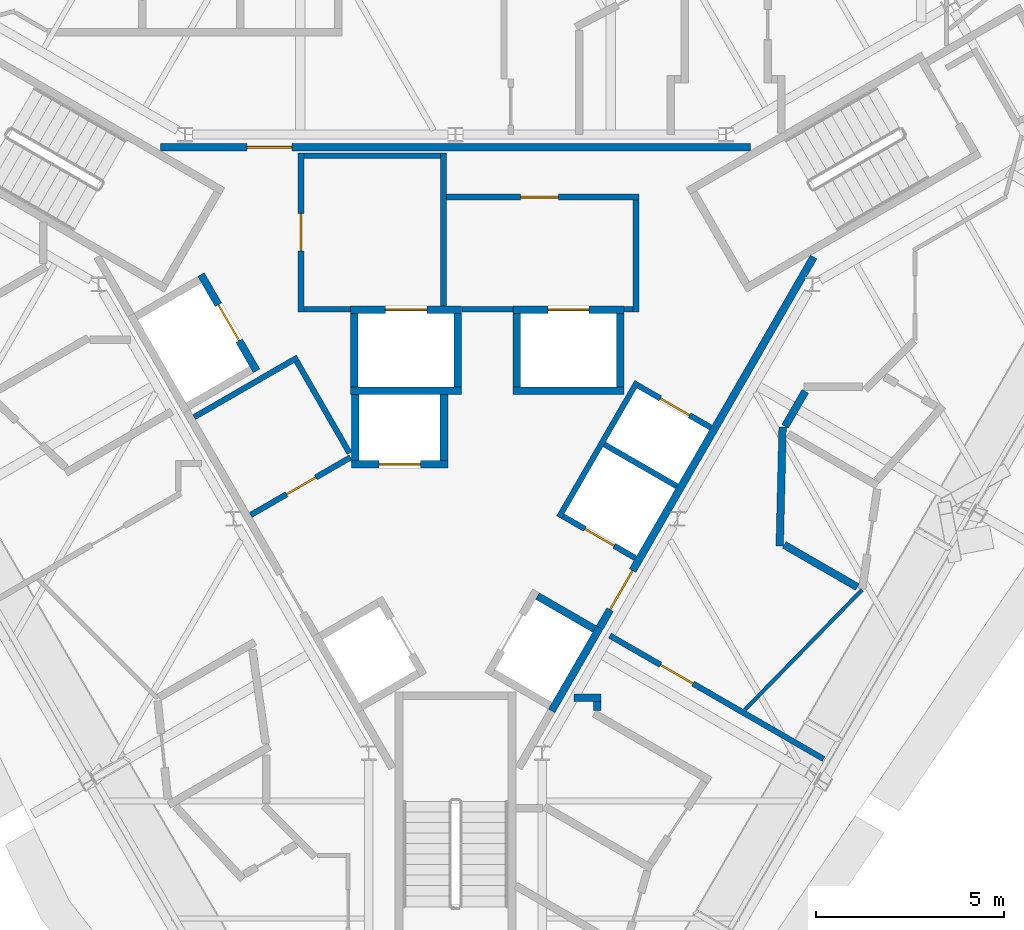
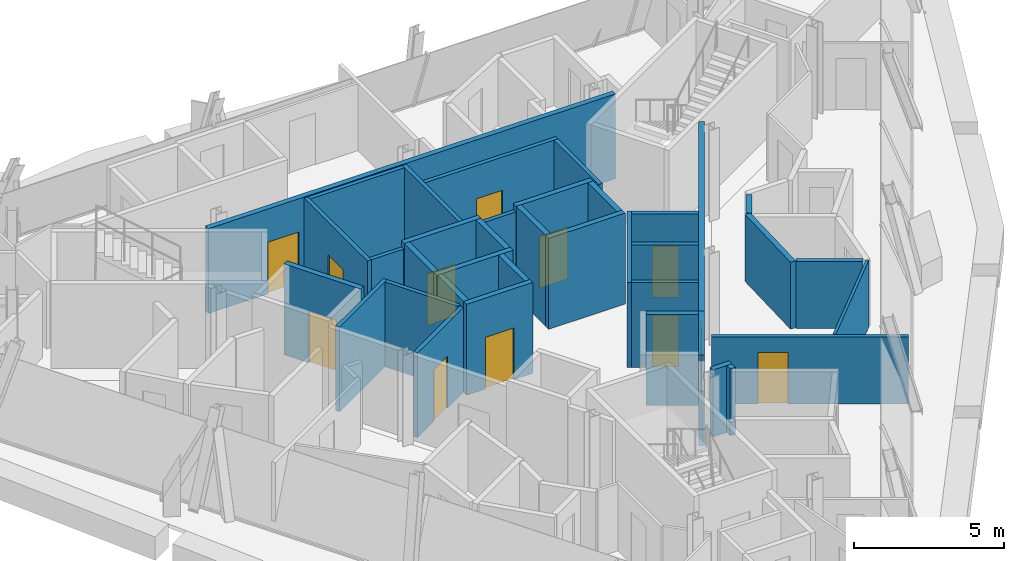
# One storey, part 8 of 13: 38 walls, 12 doors, 12 openings.
"""IFC4 building model written with IfcOpenShell, lengths in metres."""

from ifc_helpers import new_model, si_unit, direction, frame, frame_2d, origin, place, context, subcontext, project, spatial, rectangle, extrude, material, layer, layer_set, type_object, element, fill, save


model = new_model("IFC4")

# Units and contexts
model_context = context("Model", 3, precision=1e-05, world=origin(), true_north=direction((0.0, 1.0)))
body_context = subcontext(model_context, "Body", "Model", "MODEL_VIEW")
ifc_project = project(units=[si_unit("LENGTHUNIT", "METRE"), si_unit("AREAUNIT", "SQUARE_METRE"), si_unit("VOLUMEUNIT", "CUBIC_METRE"), si_unit("PLANEANGLEUNIT", "RADIAN"), si_unit("MASSUNIT", "GRAM", prefix="KILO")], contexts=[model_context])

# Site, building, storey
site_placement = place(None, origin())
site = spatial("IfcSite", under=ifc_project, at=site_placement, CompositionType="ELEMENT")
building_placement = place(site_placement, origin())
building = spatial("IfcBuilding", under=site, at=building_placement, Name="Verrane Prism Tower", CompositionType="ELEMENT")
storey_placement = place(building_placement, frame((0.0, 0.0, 304.699951171875)))
storey = spatial("IfcBuildingStorey", under=building, at=storey_placement, Name="L77", CompositionType="ELEMENT", Elevation=304.699951171875)

# Wall, opening, door
ifc_material_1 = material(Name="Gypsum board partition", Category="other")
ifc_layer_1 = layer(ifc_material_1, 0.199951171875)
ifc_layer_set_1 = layer_set([ifc_layer_1], Name="CW-200 core boundary wall 2 h")
wall_type_1 = type_object("IfcWallType", Name="CW-200 core boundary wall 2 h", PredefinedType="PARTITIONING", material=ifc_layer_set_1)
wall_1_placement = place(storey_placement, frame((7.8291015625, 6.4599609375, 0.0), z_axis=(0.0, 0.0, 1.0), x_axis=(-1.0, 0.0, 0.0)))
wall_1 = element("IfcWall", 1, at=wall_1_placement, inside=storey, type_object=wall_type_1, Name="Core boundary wall CW3-002", PredefinedType="PARTITIONING", context=body_context, shape_type="SweptSolid", body=[
    extrude(rectangle(XDim=15.658203125, YDim=0.199951171875, at=frame_2d((7.8291015625, 0.0))), origin(), (0.0, 0.0, 1.0), 3.449951171875),
])
opening_1_placement = place(wall_1_placement, frame((12.16796875, 0.0, 0.0)))
opening_1 = element("IfcOpeningElement", 2, at=opening_1_placement, cuts=wall_1, Name="Opening D75509", PredefinedType="OPENING", context=body_context, shape_type="SweptSolid", body=[
    extrude(rectangle(XDim=1.199951171875, YDim=2.10009765625, at=frame_2d((0.60009765625, 1.050048828125))), frame((0.0, 0.10986328125, 0.0), z_axis=(0.0, -1.0, 0.0), x_axis=(1.0, 0.0, 0.0)), (0.0, 0.0, 1.0), 0.219970703125),
])
ifc_material_2 = material(Name="Timber veneered door leaf", Category="wood")
door_type_1 = type_object("IfcDoorType", Name="DR-1200x2100 FD60 single leaf lift lobby", OperationType="NOTDEFINED", PredefinedType="DOOR", material=ifc_material_2)
door_1_placement = place(opening_1_placement, origin())
door_1 = element("IfcDoor", 3, at=door_1_placement, inside=storey, type_object=door_type_1, Name="Lift lobby door D75509", OperationType="SINGLE_SWING_RIGHT", OverallHeight=2.10009765625, OverallWidth=1.199951171875, PredefinedType="DOOR", context=body_context, shape_type="SweptSolid", body=[
    extrude(rectangle(XDim=1.199951171875, YDim=2.10009765625, at=frame_2d((0.60009765625, 1.050048828125))), frame((0.0, 0.02490234375, 0.0), z_axis=(0.0, -1.0, 0.0), x_axis=(1.0, 0.0, 0.0)), (0.0, 0.0, 1.0), 0.050048828125),
])
fill(opening_1, door_1)

wall_2_placement = place(storey_placement, frame((3.827880859375, -6.2900390625, 0.0), z_axis=(0.0, 0.0, 1.0), x_axis=(0.499979739078, 0.866037101117, 0.0)))
wall_2 = element("IfcWall", 4, at=wall_2_placement, inside=storey, type_object=wall_type_1, Name="Core boundary wall CW3-006", PredefinedType="PARTITIONING", context=body_context, shape_type="SweptSolid", body=[
    extrude(rectangle(XDim=11.36279296875, YDim=0.199951171875, at=frame_2d((5.681396484375, 0.0))), origin(), (0.0, 0.0, 1.0), 3.449951171875),
])
opening_2_placement = place(wall_2_placement, frame((0.550048828125, 0.0, 0.0)))
opening_2 = element("IfcOpeningElement", 5, at=opening_2_placement, cuts=wall_2, Name="Opening D75515", PredefinedType="OPENING", context=body_context, shape_type="SweptSolid", body=[
    extrude(rectangle(XDim=1.199951171875, YDim=2.10009765625, at=frame_2d((0.60009765625, 1.050048828125))), frame((0.0, 0.10986328125, 0.0), z_axis=(0.0, -1.0, 0.0), x_axis=(1.0, 0.0, 0.0)), (0.0, 0.0, 1.0), 0.219970703125),
])
door_2_placement = place(opening_2_placement, origin())
door_2 = element("IfcDoor", 6, at=door_2_placement, inside=storey, type_object=door_type_1, Name="Lift lobby door D75515", OperationType="SINGLE_SWING_RIGHT", OverallHeight=2.10009765625, OverallWidth=1.199951171875, PredefinedType="DOOR", context=body_context, shape_type="SweptSolid", body=[
    extrude(rectangle(XDim=1.199951171875, YDim=2.10009765625, at=frame_2d((0.60009765625, 1.050048828125))), frame((0.0, 0.02490234375, 0.0), z_axis=(0.0, -1.0, 0.0), x_axis=(1.0, 0.0, 0.0)), (0.0, 0.0, 1.0), 0.050048828125),
])
fill(opening_2, door_2)

ifc_material_3 = material(Name="Gypsum board shaft wall assembly", Category="other")
ifc_layer_2 = layer(ifc_material_3, 0.199951171875)
ifc_layer_set_2 = layer_set([ifc_layer_2], Name="HW-200 lift shaft wall 2 h")
wall_type_2 = type_object("IfcWallType", Name="HW-200 lift shaft wall 2 h", PredefinedType="PARTITIONING", material=ifc_layer_set_2)
wall_3_placement = place(storey_placement, frame((-2.7548828125, -1.949951171875, 0.0), z_axis=(0.0, 0.0, 1.0), x_axis=(1.0, 0.0, 0.0)))
wall_3 = element("IfcWall", 7, at=wall_3_placement, inside=storey, type_object=wall_type_2, Name="Lift shaft wall", PredefinedType="PARTITIONING", context=body_context, shape_type="SweptSolid", body=[
    extrude(rectangle(XDim=2.5498046875, YDim=0.199951171875, at=frame_2d((1.27490234375, 0.0))), origin(), (0.0, 0.0, 1.0), 3.699951171875),
])
opening_3_placement = place(wall_3_placement, frame((0.72509765625, 0.0, 0.0)))
opening_3 = element("IfcOpeningElement", 8, at=opening_3_placement, cuts=wall_3, Name="Opening D75504", PredefinedType="OPENING", context=body_context, shape_type="SweptSolid", body=[
    extrude(rectangle(XDim=1.10009765625, YDim=2.10009765625, at=frame_2d((0.550048828125, 1.050048828125))), frame((0.0, 0.10986328125, 0.0), z_axis=(0.0, -1.0, 0.0), x_axis=(1.0, 0.0, 0.0)), (0.0, 0.0, 1.0), 0.219970703125),
])
ifc_material_4 = material(Name="Stainless steel sliding landing door", Category="steel")
door_type_2 = type_object("IfcDoorType", Name="LD-1100x2100 lift landing door FD90 sliding", OperationType="NOTDEFINED", PredefinedType="DOOR", material=ifc_material_4)
door_3_placement = place(opening_3_placement, origin())
door_3 = element("IfcDoor", 9, at=door_3_placement, inside=storey, type_object=door_type_2, Name="Bank C lift 2 landing door", OperationType="SLIDING_TO_RIGHT", OverallHeight=2.10009765625, OverallWidth=1.10009765625, PredefinedType="DOOR", context=body_context, shape_type="SweptSolid", body=[
    extrude(rectangle(XDim=1.10009765625, YDim=2.10009765625, at=frame_2d((0.550048828125, 1.050048828125))), frame((0.0, 0.02490234375, 0.0), z_axis=(0.0, -1.0, 0.0), x_axis=(1.0, 0.0, 0.0)), (0.0, 0.0, 1.0), 0.050048828125),
])
fill(opening_3, door_3)

# Walls
wall_4_placement = place(storey_placement, frame((-2.784912109375, 0.0, 0.0), z_axis=(0.0, 0.0, 1.0), x_axis=(1.0, 0.0, 0.0)))
element("IfcWall", 10, at=wall_4_placement, inside=storey, type_object=wall_type_2, Name="Lift shaft wall", PredefinedType="PARTITIONING", context=body_context, shape_type="SweptSolid", body=[
    extrude(rectangle(XDim=2.949951171875, YDim=0.199951171875, at=frame_2d((1.47509765625, 0.0))), origin(), (0.0, 0.0, 1.0), 3.699951171875),
])
wall_5_placement = place(storey_placement, frame((1.52490234375, 0.0, 0.0), z_axis=(0.0, 0.0, 1.0), x_axis=(1.0, 0.0, 0.0)))
element("IfcWall", 11, at=wall_5_placement, inside=storey, type_object=wall_type_2, Name="Lift shaft wall", PredefinedType="PARTITIONING", context=body_context, shape_type="SweptSolid", body=[
    extrude(rectangle(XDim=2.9501953125, YDim=0.199951171875, at=frame_2d((1.47509765625, 0.0))), origin(), (0.0, 0.0, 1.0), 3.699951171875),
])

# Wall, opening, door
wall_6_placement = place(storey_placement, frame((-2.784912109375, 2.14990234375, 0.0), z_axis=(0.0, 0.0, 1.0), x_axis=(1.0, 0.0, 0.0)))
wall_6 = element("IfcWall", 12, at=wall_6_placement, inside=storey, type_object=wall_type_2, Name="Lift shaft wall", PredefinedType="PARTITIONING", context=body_context, shape_type="SweptSolid", body=[
    extrude(rectangle(XDim=2.949951171875, YDim=0.199951171875, at=frame_2d((1.47509765625, 0.0))), origin(), (0.0, 0.0, 1.0), 3.699951171875),
])
opening_4_placement = place(wall_6_placement, frame((0.925048828125, 0.0, 0.0)))
opening_4 = element("IfcOpeningElement", 13, at=opening_4_placement, cuts=wall_6, Name="Opening D75506", PredefinedType="OPENING", context=body_context, shape_type="SweptSolid", body=[
    extrude(rectangle(XDim=1.10009765625, YDim=2.10009765625, at=frame_2d((0.550048828125, 1.050048828125))), frame((0.0, 0.10986328125, 0.0), z_axis=(0.0, -1.0, 0.0), x_axis=(1.0, 0.0, 0.0)), (0.0, 0.0, 1.0), 0.219970703125),
])
door_4_placement = place(opening_4_placement, origin())
door_4 = element("IfcDoor", 14, at=door_4_placement, inside=storey, type_object=door_type_2, Name="Fire service lift 1 landing door", OperationType="SLIDING_TO_LEFT", OverallHeight=2.10009765625, OverallWidth=1.10009765625, PredefinedType="DOOR", context=body_context, shape_type="SweptSolid", body=[
    extrude(rectangle(XDim=1.10009765625, YDim=2.10009765625, at=frame_2d((0.550048828125, 1.050048828125))), frame((0.0, 0.02490234375, 0.0), z_axis=(0.0, -1.0, 0.0), x_axis=(1.0, 0.0, 0.0)), (0.0, 0.0, 1.0), 0.050048828125),
])
fill(opening_4, door_4)

wall_7_placement = place(storey_placement, frame((1.52490234375, 2.14990234375, 0.0), z_axis=(0.0, 0.0, 1.0), x_axis=(1.0, 0.0, 0.0)))
wall_7 = element("IfcWall", 15, at=wall_7_placement, inside=storey, type_object=wall_type_2, Name="Lift shaft wall", PredefinedType="PARTITIONING", context=body_context, shape_type="SweptSolid", body=[
    extrude(rectangle(XDim=2.9501953125, YDim=0.199951171875, at=frame_2d((1.47509765625, 0.0))), origin(), (0.0, 0.0, 1.0), 3.699951171875),
])
opening_5_placement = place(wall_7_placement, frame((0.925048828125, 0.0, 0.0)))
opening_5 = element("IfcOpeningElement", 16, at=opening_5_placement, cuts=wall_7, Name="Opening D75507", PredefinedType="OPENING", context=body_context, shape_type="SweptSolid", body=[
    extrude(rectangle(XDim=1.10009765625, YDim=2.10009765625, at=frame_2d((0.550048828125, 1.050048828125))), frame((0.0, 0.10986328125, 0.0), z_axis=(0.0, -1.0, 0.0), x_axis=(1.0, 0.0, 0.0)), (0.0, 0.0, 1.0), 0.219970703125),
])
door_5_placement = place(opening_5_placement, origin())
door_5 = element("IfcDoor", 17, at=door_5_placement, inside=storey, type_object=door_type_2, Name="Fire service lift 2 landing door", OperationType="SLIDING_TO_RIGHT", OverallHeight=2.10009765625, OverallWidth=1.10009765625, PredefinedType="DOOR", context=body_context, shape_type="SweptSolid", body=[
    extrude(rectangle(XDim=1.10009765625, YDim=2.10009765625, at=frame_2d((0.550048828125, 1.050048828125))), frame((0.0, 0.02490234375, 0.0), z_axis=(0.0, -1.0, 0.0), x_axis=(1.0, 0.0, 0.0)), (0.0, 0.0, 1.0), 0.050048828125),
])
fill(opening_5, door_5)

# Walls
wall_8_placement = place(storey_placement, frame((2.552001953125, -8.499755859375, 0.0), z_axis=(0.0, 0.0, 1.0), x_axis=(0.499990435942, 0.866030925526, 0.0)))
element("IfcWall", 18, at=wall_8_placement, inside=storey, type_object=wall_type_2, Name="Lift shaft wall", PredefinedType="PARTITIONING", context=body_context, shape_type="SweptSolid", body=[
    extrude(rectangle(XDim=2.5498046875, YDim=0.199951171875, at=frame_2d((1.27490234375, 0.0))), origin(), (0.0, 0.0, 1.0), 3.699951171875),
])
for number, where, z_axis, x_axis, name in (
    (19, (4.375, 0.10009765625, 0.0), (0.0, 0.0, 1.0), (0.0, 1.0, 0.0), "Lift shaft wall"),
    (20, (1.625, 0.10009765625, 0.0), (0.0, 0.0, 1.0), (0.0, 1.0, 0.0), "Lift shaft wall"),
    (21, (0.06494140625, 0.10009765625, 0.0), (0.0, 0.0, 1.0), (0.0, 1.0, 0.0), "Lift shaft wall"),
):
    element("IfcWall", number, at=place(storey_placement, frame(where, z_axis=z_axis, x_axis=x_axis)), inside=storey, type_object=wall_type_2, Name=name, PredefinedType="PARTITIONING", context=body_context, shape_type="SweptSolid", body=[
        extrude(rectangle(XDim=1.949951171875, YDim=0.199951171875, at=frame_2d((0.97509765625, 0.0))), origin(), (0.0, 0.0, 1.0), 3.699951171875),
    ])
for number, where, z_axis, x_axis, name in (
    (22, (-0.304931640625, -1.85009765625, 0.0), (0.0, 0.0, 1.0), (0.0, 1.0, 0.0), "Lift shaft wall"),
    (23, (-2.655029296875, -1.85009765625, 0.0), (0.0, 0.0, 1.0), (0.0, 1.0, 0.0), "Lift shaft wall"),
):
    element("IfcWall", number, at=place(storey_placement, frame(where, z_axis=z_axis, x_axis=x_axis)), inside=storey, type_object=wall_type_2, Name=name, PredefinedType="PARTITIONING", context=body_context, shape_type="SweptSolid", body=[
        extrude(rectangle(XDim=1.75, YDim=0.199951171875, at=frame_2d((0.875, 0.0))), origin(), (0.0, 0.0, 1.0), 3.699951171875),
    ])
wall_9_placement = place(storey_placement, frame((-2.68505859375, 0.10009765625, 0.0), z_axis=(0.0, 0.0, 1.0), x_axis=(0.0, 1.0, 0.0)))
element("IfcWall", 24, at=wall_9_placement, inside=storey, type_object=wall_type_2, Name="Lift shaft wall", PredefinedType="PARTITIONING", context=body_context, shape_type="SweptSolid", body=[
    extrude(rectangle(XDim=1.949951171875, YDim=0.199951171875, at=frame_2d((0.97509765625, 0.0))), origin(), (0.0, 0.0, 1.0), 3.699951171875),
])

# Wall, opening, door
wall_10_placement = place(storey_placement, frame((-5.280029296875, 0.525390625, 0.0), z_axis=(0.0, 0.0, 1.0), x_axis=(-0.500037662692, 0.866003658127, 0.0)))
wall_10 = element("IfcWall", 25, at=wall_10_placement, inside=storey, type_object=wall_type_2, Name="Lift shaft wall", PredefinedType="PARTITIONING", context=body_context, shape_type="SweptSolid", body=[
    extrude(rectangle(XDim=2.949951171875, YDim=0.199951171875, at=frame_2d((1.47509765625, 0.0))), origin(), (0.0, 0.0, 1.0), 3.699951171875),
])
opening_6_placement = place(wall_10_placement, frame((0.925048828125, 0.0, 0.0)))
opening_6 = element("IfcOpeningElement", 26, at=opening_6_placement, cuts=wall_10, Name="Opening D75508", PredefinedType="OPENING", context=body_context, shape_type="SweptSolid", body=[
    extrude(rectangle(XDim=1.10009765625, YDim=2.10009765625, at=frame_2d((0.550048828125, 1.050048828125))), frame((0.0, 0.10986328125, 0.0), z_axis=(0.0, -1.0, 0.0), x_axis=(1.0, 0.0, 0.0)), (0.0, 0.0, 1.0), 0.219970703125),
])
door_6_placement = place(opening_6_placement, origin())
door_6 = element("IfcDoor", 27, at=door_6_placement, inside=storey, type_object=door_type_2, Name="Service lift 1 landing door", OperationType="SLIDING_TO_LEFT", OverallHeight=2.10009765625, OverallWidth=1.10009765625, PredefinedType="DOOR", context=body_context, shape_type="SweptSolid", body=[
    extrude(rectangle(XDim=1.10009765625, YDim=2.10009765625, at=frame_2d((0.550048828125, 1.050048828125))), frame((0.0, 0.02490234375, 0.0), z_axis=(0.0, -1.0, 0.0), x_axis=(1.0, 0.0, 0.0)), (0.0, 0.0, 1.0), 0.050048828125),
])
fill(opening_6, door_6)

# Wall
wall_11_placement = place(storey_placement, frame((3.6904296875, -6.327880859375, 0.0), z_axis=(0.0, 0.0, 1.0), x_axis=(-0.866036909293, 0.499980071345, 0.0)))
element("IfcWall", 28, at=wall_11_placement, inside=storey, type_object=wall_type_2, Name="Lift shaft wall", PredefinedType="PARTITIONING", context=body_context, shape_type="SweptSolid", body=[
    extrude(rectangle(XDim=1.75, YDim=0.199951171875, at=frame_2d((0.875, 0.0))), origin(), (0.0, 0.0, 1.0), 3.699951171875),
])

# Wall, opening, door
ifc_material_5 = material(Name="Gypsum board partition", Category="other")
ifc_layer_3 = layer(ifc_material_5, 0.14990234375)
ifc_layer_set_3 = layer_set([ifc_layer_3], Name="LF-150 firefighting lobby wall 1 h")
wall_type_3 = type_object("IfcWallType", Name="LF-150 firefighting lobby wall 1 h", PredefinedType="PARTITIONING", material=ifc_layer_set_3)
wall_12_placement = place(storey_placement, frame((-4.10009765625, 2.0849609375, 0.0), z_axis=(0.0, 0.0, 1.0), x_axis=(0.0, 1.0, 0.0)))
wall_12 = element("IfcWall", 29, at=wall_12_placement, inside=storey, type_object=wall_type_3, Name="Firefighting lobby wall LF1-001", PredefinedType="PARTITIONING", context=body_context, shape_type="SweptSolid", body=[
    extrude(rectangle(XDim=4.22998046875, YDim=0.14990234375, at=frame_2d((2.114990234375, 0.0))), origin(), (0.0, 0.0, 1.0), 3.449951171875),
])
opening_7_placement = place(wall_12_placement, frame((1.625, 0.0, 0.0)))
opening_7 = element("IfcOpeningElement", 30, at=opening_7_placement, cuts=wall_12, Name="Opening D75512", PredefinedType="OPENING", context=body_context, shape_type="SweptSolid", body=[
    extrude(rectangle(XDim=1.0, YDim=2.10009765625, at=frame_2d((0.5, 1.050048828125))), frame((0.0, 0.0849609375, 0.0), z_axis=(0.0, -1.0, 0.0), x_axis=(1.0, 0.0, 0.0)), (0.0, 0.0, 1.0), 0.169921875),
])
ifc_material_6 = material(Name="Timber veneered door leaf", Category="wood")
door_type_3 = type_object("IfcDoorType", Name="DR-1000x2100 FD60 single leaf firefighting lobby", OperationType="NOTDEFINED", PredefinedType="DOOR", material=ifc_material_6)
door_7_placement = place(opening_7_placement, origin())
door_7 = element("IfcDoor", 31, at=door_7_placement, inside=storey, type_object=door_type_3, Name="Firefighting lobby door D75512", OperationType="SINGLE_SWING_RIGHT", OverallHeight=2.10009765625, OverallWidth=1.0, PredefinedType="DOOR", context=body_context, shape_type="SweptSolid", body=[
    extrude(rectangle(XDim=1.0, YDim=2.10009765625, at=frame_2d((0.5, 1.050048828125))), frame((0.0, 0.02490234375, 0.0), z_axis=(0.0, -1.0, 0.0), x_axis=(1.0, 0.0, 0.0)), (0.0, 0.0, 1.0), 0.050048828125),
])
fill(opening_7, door_7)

# Walls
wall_13_placement = place(storey_placement, frame((-4.02490234375, 2.159912109375, 0.0), z_axis=(0.0, 0.0, 1.0), x_axis=(1.0, 0.0, 0.0)))
element("IfcWall", 32, at=wall_13_placement, inside=storey, type_object=wall_type_3, Name="Firefighting lobby wall LF1-002", PredefinedType="PARTITIONING", context=body_context, shape_type="SweptSolid", body=[
    extrude(rectangle(XDim=1.23779296875, YDim=0.14990234375, at=frame_2d((0.618896484375, 0.0))), origin(), (0.0, 0.0, 1.0), 3.449951171875),
])
wall_14_placement = place(storey_placement, frame((-4.02490234375, 6.239990234375, 0.0), z_axis=(0.0, 0.0, 1.0), x_axis=(1.0, 0.0, 0.0)))
element("IfcWall", 33, at=wall_14_placement, inside=storey, type_object=wall_type_3, Name="Firefighting lobby wall LF1-003", PredefinedType="PARTITIONING", context=body_context, shape_type="SweptSolid", body=[
    extrude(rectangle(XDim=3.6298828125, YDim=0.14990234375, at=frame_2d((1.81494140625, 0.0))), origin(), (0.0, 0.0, 1.0), 3.449951171875),
])
wall_15_placement = place(storey_placement, frame((-0.320068359375, 2.251953125, 0.0), z_axis=(0.0, 0.0, 1.0), x_axis=(0.0, 1.0, 0.0)))
element("IfcWall", 34, at=wall_15_placement, inside=storey, type_object=wall_type_3, Name="Firefighting lobby wall LF1-004", PredefinedType="PARTITIONING", context=body_context, shape_type="SweptSolid", body=[
    extrude(rectangle(XDim=4.06298828125, YDim=0.14990234375, at=frame_2d((2.031494140625, 0.0))), origin(), (0.0, 0.0, 1.0), 3.449951171875),
])

# Wall, opening, door
wall_16_placement = place(storey_placement, frame((-0.2451171875, 5.139892578125, 0.0), z_axis=(0.0, 0.0, 1.0), x_axis=(1.0, 0.0, 0.0)))
wall_16 = element("IfcWall", 35, at=wall_16_placement, inside=storey, type_object=wall_type_3, Name="Firefighting lobby wall LF1-005", PredefinedType="PARTITIONING", context=body_context, shape_type="SweptSolid", body=[
    extrude(rectangle(XDim=5.110107421875, YDim=0.14990234375, at=frame_2d((2.55517578125, 0.0))), origin(), (0.0, 0.0, 1.0), 3.449951171875),
])
opening_8_placement = place(wall_16_placement, frame((1.97509765625, 0.0, 0.0)))
opening_8 = element("IfcOpeningElement", 36, at=opening_8_placement, cuts=wall_16, Name="Opening D75513", PredefinedType="OPENING", context=body_context, shape_type="SweptSolid", body=[
    extrude(rectangle(XDim=1.0, YDim=2.10009765625, at=frame_2d((0.5, 1.050048828125))), frame((0.0, 0.0849609375, 0.0), z_axis=(0.0, -1.0, 0.0), x_axis=(1.0, 0.0, 0.0)), (0.0, 0.0, 1.0), 0.169921875),
])
door_8_placement = place(opening_8_placement, origin())
door_8 = element("IfcDoor", 37, at=door_8_placement, inside=storey, type_object=door_type_3, Name="Firefighting lobby door D75513", OperationType="SINGLE_SWING_LEFT", OverallHeight=2.10009765625, OverallWidth=1.0, PredefinedType="DOOR", context=body_context, shape_type="SweptSolid", body=[
    extrude(rectangle(XDim=1.0, YDim=2.10009765625, at=frame_2d((0.5, 1.050048828125))), frame((0.0, 0.02490234375, 0.0), z_axis=(0.0, -1.0, 0.0), x_axis=(1.0, 0.0, 0.0)), (0.0, 0.0, 1.0), 0.050048828125),
])
fill(opening_8, door_8)

# Walls
wall_17_placement = place(storey_placement, frame((0.1669921875, 2.159912109375, 0.0), z_axis=(0.0, 0.0, 1.0), x_axis=(1.0, 0.0, 0.0)))
element("IfcWall", 38, at=wall_17_placement, inside=storey, type_object=wall_type_3, Name="Firefighting lobby wall LF1-006", PredefinedType="PARTITIONING", context=body_context, shape_type="SweptSolid", body=[
    extrude(rectangle(XDim=1.35595703125, YDim=0.14990234375, at=frame_2d((0.677978515625, 0.0))), origin(), (0.0, 0.0, 1.0), 3.449951171875),
])
wall_18_placement = place(storey_placement, frame((4.47705078125, 2.159912109375, 0.0), z_axis=(0.0, 0.0, 1.0), x_axis=(1.0, 0.0, 0.0)))
element("IfcWall", 39, at=wall_18_placement, inside=storey, type_object=wall_type_3, Name="Firefighting lobby wall LF1-007", PredefinedType="PARTITIONING", context=body_context, shape_type="SweptSolid", body=[
    extrude(rectangle(XDim=0.238037109375, YDim=0.14990234375, at=frame_2d((0.119140625, 0.0))), origin(), (0.0, 0.0, 1.0), 3.449951171875),
])
wall_19_placement = place(storey_placement, frame((4.7900390625, 2.0849609375, 0.0), z_axis=(0.0, 0.0, 1.0), x_axis=(0.0, 1.0, 0.0)))
element("IfcWall", 40, at=wall_19_placement, inside=storey, type_object=wall_type_3, Name="Firefighting lobby wall LF1-008", PredefinedType="PARTITIONING", context=body_context, shape_type="SweptSolid", body=[
    extrude(rectangle(XDim=2.97998046875, YDim=0.14990234375, at=frame_2d((1.489990234375, 0.0))), origin(), (0.0, 0.0, 1.0), 3.449951171875),
])
ifc_material_7 = material(Name="Gypsum board partition", Category="other")
ifc_layer_4 = layer(ifc_material_7, 0.10009765625)
ifc_layer_set_4 = layer_set([ifc_layer_4], Name="PW-100 room partition")
wall_type_4 = type_object("IfcWallType", Name="PW-100 room partition", PredefinedType="PARTITIONING", material=ifc_layer_set_4)
wall_20_placement = place(storey_placement, frame((7.68212890625, -8.470458984375, 0.0), z_axis=(0.0, 0.0, 1.0), x_axis=(0.698777378461, 0.715339203002, 0.0)))
element("IfcWall", 41, at=wall_20_placement, inside=storey, type_object=wall_type_4, Name="Room partition 067", PredefinedType="PARTITIONING", context=body_context, shape_type="SweptSolid", body=[
    extrude(rectangle(XDim=4.451904296875, YDim=0.10009765625, at=frame_2d((2.22607421875, 0.0))), origin(), (0.0, 0.0, 1.0), 2.72314453125),
])

# Wall, opening, door
ifc_material_8 = material(Name="Gypsum board partition", Category="other")
ifc_layer_5 = layer(ifc_material_8, 0.14990234375)
ifc_layer_set_5 = layer_set([ifc_layer_5], Name="PW-150 demising wall 1 h")
wall_type_5 = type_object("IfcWallType", Name="PW-150 demising wall 1 h", PredefinedType="PARTITIONING", material=ifc_layer_set_5)
wall_21_placement = place(storey_placement, frame((9.771728515625, -9.77685546875, 0.0), z_axis=(0.0, 0.0, 1.0), x_axis=(-0.866083818164, 0.499898809675, 0.0)))
wall_21 = element("IfcWall", 42, at=wall_21_placement, inside=storey, type_object=wall_type_5, Name="Demising wall 060", PredefinedType="PARTITIONING", context=body_context, shape_type="SweptSolid", body=[
    extrude(rectangle(XDim=6.551025390625, YDim=0.14990234375, at=frame_2d((3.275390625, 0.0))), origin(), (0.0, 0.0, 1.0), 2.72314453125),
])
opening_9_placement = place(wall_21_placement, frame((4.0009765625, 0.0, 0.0)))
opening_9 = element("IfcOpeningElement", 43, at=opening_9_placement, cuts=wall_21, Name="Opening D75003", PredefinedType="OPENING", context=body_context, shape_type="SweptSolid", body=[
    extrude(rectangle(XDim=1.0, YDim=2.10009765625, at=frame_2d((0.5, 1.050048828125))), frame((0.0, 0.0849609375, 0.0), z_axis=(0.0, -1.0, 0.0), x_axis=(1.0, 0.0, 0.0)), (0.0, 0.0, 1.0), 0.169921875),
])
ifc_material_9 = material(Name="Timber veneered door leaf", Category="wood")
door_type_4 = type_object("IfcDoorType", Name="DR-1000x2100 FD20 single leaf inner", OperationType="NOTDEFINED", PredefinedType="DOOR", material=ifc_material_9)
door_9_placement = place(opening_9_placement, origin())
door_9 = element("IfcDoor", 44, at=door_9_placement, inside=storey, type_object=door_type_4, Name="Entrance Foyer door", OperationType="SINGLE_SWING_RIGHT", OverallHeight=2.10009765625, OverallWidth=1.0, PredefinedType="DOOR", context=body_context, shape_type="SweptSolid", body=[
    extrude(rectangle(XDim=1.0, YDim=2.10009765625, at=frame_2d((0.5, 1.050048828125))), frame((0.0, 0.02490234375, 0.0), z_axis=(0.0, -1.0, 0.0), x_axis=(1.0, 0.0, 0.0)), (0.0, 0.0, 1.0), 0.050048828125),
])
fill(opening_9, door_9)

# Walls
ifc_material_10 = material(Name="Gypsum board partition", Category="other")
ifc_layer_6 = layer(ifc_material_10, 0.199951171875)
ifc_layer_set_6 = layer_set([ifc_layer_6], Name="PW-200 plumbing wall")
wall_type_6 = type_object("IfcWallType", Name="PW-200 plumbing wall", PredefinedType="PARTITIONING", material=ifc_layer_set_6)
wall_22_placement = place(storey_placement, frame((3.14599609375, -8.15087890625, 0.0), z_axis=(0.0, 0.0, 1.0), x_axis=(1.0, 0.0, 0.0)))
element("IfcWall", 45, at=wall_22_placement, inside=storey, type_object=wall_type_6, Name="Plumbing wall 055", PredefinedType="PARTITIONING", context=body_context, shape_type="SweptSolid", body=[
    extrude(rectangle(XDim=0.722900390625, YDim=0.199951171875, at=frame_2d((0.361328125, 0.0))), origin(), (0.0, 0.0, 1.0), 2.72314453125),
])
wall_23_placement = place(storey_placement, frame((3.76904296875, -8.486083984375, 0.0), z_axis=(0.0, 0.0, 1.0), x_axis=(0.0, 1.0, 0.0)))
element("IfcWall", 46, at=wall_23_placement, inside=storey, type_object=wall_type_6, Name="Plumbing wall 058", PredefinedType="PARTITIONING", context=body_context, shape_type="SweptSolid", body=[
    extrude(rectangle(XDim=0.235107421875, YDim=0.199951171875, at=frame_2d((0.11767578125, 0.0))), origin(), (0.0, 0.0, 1.0), 2.72314453125),
])
wall_24_placement = place(storey_placement, frame((8.606689453125, -4.125, 0.0), z_axis=(0.0, 0.0, 1.0), x_axis=(0.024245593124, 0.999706032399, 0.0)))
element("IfcWall", 47, at=wall_24_placement, inside=storey, type_object=wall_type_6, Name="Plumbing wall 070", PredefinedType="PARTITIONING", context=body_context, shape_type="SweptSolid", body=[
    extrude(rectangle(XDim=3.161865234375, YDim=0.199951171875, at=frame_2d((1.5810546875, 0.0))), origin(), (0.0, 0.0, 1.0), 2.72314453125),
])
wall_25_placement = place(storey_placement, frame((8.725830078125, -4.092529296875, 0.0), z_axis=(0.0, 0.0, 1.0), x_axis=(0.866056839033, -0.499945548598, 0.0)))
element("IfcWall", 48, at=wall_25_placement, inside=storey, type_object=wall_type_6, Name="Plumbing wall 071", PredefinedType="PARTITIONING", context=body_context, shape_type="SweptSolid", body=[
    extrude(rectangle(XDim=2.241943359375, YDim=0.199951171875, at=frame_2d((1.12109375, 0.0))), origin(), (0.0, 0.0, 1.0), 2.72314453125),
])
wall_26_placement = place(storey_placement, frame((8.74853515625, -0.947021484375, 0.0), z_axis=(0.0, 0.0, 1.0), x_axis=(0.499656913366, 0.866223394354, 0.0)))
element("IfcWall", 49, at=wall_26_placement, inside=storey, type_object=wall_type_6, Name="Plumbing wall 073", PredefinedType="PARTITIONING", context=body_context, shape_type="SweptSolid", body=[
    extrude(rectangle(XDim=1.074951171875, YDim=0.199951171875, at=frame_2d((0.53759765625, 0.0))), origin(), (0.0, 0.0, 1.0), 2.72314453125),
])
ifc_material_11 = material(Name="Gypsum board partition", Category="other")
ifc_layer_7 = layer(ifc_material_11, 0.14990234375)
ifc_layer_set_7 = layer_set([ifc_layer_7], Name="RS-150 riser enclosure wall 1 h")
wall_type_7 = type_object("IfcWallType", Name="RS-150 riser enclosure wall 1 h", PredefinedType="PARTITIONING", material=ifc_layer_set_7)
wall_27_placement = place(storey_placement, frame((-6.9375, -0.702880859375, 0.0), z_axis=(0.0, 0.0, 1.0), x_axis=(0.866029357279, 0.499993152284, 0.0)))
element("IfcWall", 50, at=wall_27_placement, inside=storey, type_object=wall_type_7, Name="Riser wall RS3-001", PredefinedType="PARTITIONING", context=body_context, shape_type="SweptSolid", body=[
    extrude(rectangle(XDim=3.1748046875, YDim=0.14990234375, at=frame_2d((1.58740234375, 0.0))), origin(), (0.0, 0.0, 1.0), 3.449951171875),
])

# Wall, opening, door
wall_28_placement = place(storey_placement, frame((-5.4375, -3.301025390625, 0.0), z_axis=(0.0, 0.0, 1.0), x_axis=(0.865961047596, 0.500111451624, 0.0)))
wall_28 = element("IfcWall", 51, at=wall_28_placement, inside=storey, type_object=wall_type_7, Name="Riser wall RS3-002", PredefinedType="PARTITIONING", context=body_context, shape_type="SweptSolid", body=[
    extrude(rectangle(XDim=3.060302734375, YDim=0.14990234375, at=frame_2d((1.5302734375, 0.0))), origin(), (0.0, 0.0, 1.0), 3.449951171875),
])
opening_10_placement = place(wall_28_placement, frame((1.10009765625, 0.0, 0.0)))
opening_10 = element("IfcOpeningElement", 52, at=opening_10_placement, cuts=wall_28, Name="Opening D75511", PredefinedType="OPENING", context=body_context, shape_type="SweptSolid", body=[
    extrude(rectangle(XDim=0.89990234375, YDim=2.10009765625, at=frame_2d((0.449951171875, 1.050048828125))), frame((0.0, 0.0849609375, 0.0), z_axis=(0.0, -1.0, 0.0), x_axis=(1.0, 0.0, 0.0)), (0.0, 0.0, 1.0), 0.169921875),
])
ifc_material_12 = material(Name="Timber veneered door leaf", Category="wood")
door_type_5 = type_object("IfcDoorType", Name="DR-900x2100 FD20 single leaf store", OperationType="NOTDEFINED", PredefinedType="DOOR", material=ifc_material_12)
door_10_placement = place(opening_10_placement, origin())
door_10 = element("IfcDoor", 53, at=door_10_placement, inside=storey, type_object=door_type_5, Name="Room door D75511", OperationType="SINGLE_SWING_RIGHT", OverallHeight=2.10009765625, OverallWidth=0.89990234375, PredefinedType="DOOR", context=body_context, shape_type="SweptSolid", body=[
    extrude(rectangle(XDim=0.89990234375, YDim=2.10009765625, at=frame_2d((0.449951171875, 1.050048828125))), frame((0.0, 0.02490234375, 0.0), z_axis=(0.0, -1.0, 0.0), x_axis=(1.0, 0.0, 0.0)), (0.0, 0.0, 1.0), 0.050048828125),
])
fill(opening_10, door_10)

# Walls
wall_29_placement = place(storey_placement, frame((-4.215576171875, 0.781982421875, 0.0), z_axis=(0.0, 0.0, 1.0), x_axis=(0.498733469436, -0.866755401751, 0.0)))
element("IfcWall", 54, at=wall_29_placement, inside=storey, type_object=wall_type_7, Name="Riser wall RS3-003", PredefinedType="PARTITIONING", context=body_context, shape_type="SweptSolid", body=[
    extrude(rectangle(XDim=2.814697265625, YDim=0.14990234375, at=frame_2d((1.4072265625, 0.0))), origin(), (0.0, 0.0, 1.0), 3.449951171875),
])
wall_30_placement = place(storey_placement, frame((2.74853515625, -3.35888671875, 0.0), z_axis=(0.0, 0.0, 1.0), x_axis=(0.500017827812, 0.866015110648, 0.0)))
element("IfcWall", 55, at=wall_30_placement, inside=storey, type_object=wall_type_7, Name="Riser wall RS3-004", PredefinedType="PARTITIONING", context=body_context, shape_type="SweptSolid", body=[
    extrude(rectangle(XDim=4.149658203125, YDim=0.14990234375, at=frame_2d((2.07470703125, 0.0))), origin(), (0.0, 0.0, 1.0), 3.449951171875),
])

# Wall, opening, door
wall_31_placement = place(storey_placement, frame((2.85107421875, -3.33154296875, 0.0), z_axis=(0.0, 0.0, 1.0), x_axis=(0.866110524189, -0.499852538144, 0.0)))
wall_31 = element("IfcWall", 56, at=wall_31_placement, inside=storey, type_object=wall_type_7, Name="Riser wall RS3-005", PredefinedType="PARTITIONING", context=body_context, shape_type="SweptSolid", body=[
    extrude(rectangle(XDim=2.220458984375, YDim=0.14990234375, at=frame_2d((1.1103515625, 0.0))), origin(), (0.0, 0.0, 1.0), 3.449951171875),
])
opening_11_placement = place(wall_31_placement, frame((0.675048828125, 0.0, 0.0)))
opening_11 = element("IfcOpeningElement", 57, at=opening_11_placement, cuts=wall_31, Name="Opening D75514", PredefinedType="OPENING", context=body_context, shape_type="SweptSolid", body=[
    extrude(rectangle(XDim=0.89990234375, YDim=2.10009765625, at=frame_2d((0.449951171875, 1.050048828125))), frame((0.0, 0.0849609375, 0.0), z_axis=(0.0, -1.0, 0.0), x_axis=(1.0, 0.0, 0.0)), (0.0, 0.0, 1.0), 0.169921875),
])
ifc_material_13 = material(Name="Timber veneered door leaf", Category="wood")
door_type_6 = type_object("IfcDoorType", Name="DR-900x2100 FD60 single leaf riser", OperationType="NOTDEFINED", PredefinedType="DOOR", material=ifc_material_13)
door_11_placement = place(opening_11_placement, origin())
door_11 = element("IfcDoor", 58, at=door_11_placement, inside=storey, type_object=door_type_6, Name="Riser door D75514", OperationType="SINGLE_SWING_RIGHT", OverallHeight=2.10009765625, OverallWidth=0.89990234375, PredefinedType="DOOR", context=body_context, shape_type="SweptSolid", body=[
    extrude(rectangle(XDim=0.89990234375, YDim=2.10009765625, at=frame_2d((0.449951171875, 1.050048828125))), frame((0.0, 0.02490234375, 0.0), z_axis=(0.0, -1.0, 0.0), x_axis=(1.0, 0.0, 0.0)), (0.0, 0.0, 1.0), 0.050048828125),
])
fill(opening_11, door_11)

# Wall
wall_32_placement = place(storey_placement, frame((3.950927734375, -1.426513671875, 0.0), z_axis=(0.0, 0.0, 1.0), x_axis=(0.866062920605, -0.499935013329, 0.0)))
element("IfcWall", 59, at=wall_32_placement, inside=storey, type_object=wall_type_7, Name="Riser wall RS3-006", PredefinedType="PARTITIONING", context=body_context, shape_type="SweptSolid", body=[
    extrude(rectangle(XDim=2.220458984375, YDim=0.14990234375, at=frame_2d((1.1103515625, 0.0))), origin(), (0.0, 0.0, 1.0), 3.449951171875),
])

# Wall, opening, door
wall_33_placement = place(storey_placement, frame((6.774169921875, -0.9775390625, 0.0), z_axis=(0.0, 0.0, 1.0), x_axis=(-0.866062920605, 0.499935013329, 0.0)))
wall_33 = element("IfcWall", 60, at=wall_33_placement, inside=storey, type_object=wall_type_7, Name="Riser wall RS3-007", PredefinedType="PARTITIONING", context=body_context, shape_type="SweptSolid", body=[
    extrude(rectangle(XDim=2.220458984375, YDim=0.14990234375, at=frame_2d((1.1103515625, 0.0))), origin(), (0.0, 0.0, 1.0), 3.449951171875),
])
opening_12_placement = place(wall_33_placement, frame((0.6455078125, 0.0, 0.0)))
opening_12 = element("IfcOpeningElement", 61, at=opening_12_placement, cuts=wall_33, Name="Opening D75516", PredefinedType="OPENING", context=body_context, shape_type="SweptSolid", body=[
    extrude(rectangle(XDim=0.89990234375, YDim=2.10009765625, at=frame_2d((0.449951171875, 1.050048828125))), frame((0.0, 0.0849609375, 0.0), z_axis=(0.0, -1.0, 0.0), x_axis=(1.0, 0.0, 0.0)), (0.0, 0.0, 1.0), 0.169921875),
])
door_12_placement = place(opening_12_placement, origin())
door_12 = element("IfcDoor", 62, at=door_12_placement, inside=storey, type_object=door_type_6, Name="Riser door D75516", OperationType="SINGLE_SWING_RIGHT", OverallHeight=2.10009765625, OverallWidth=0.89990234375, PredefinedType="DOOR", context=body_context, shape_type="SweptSolid", body=[
    extrude(rectangle(XDim=0.89990234375, YDim=2.10009765625, at=frame_2d((0.449951171875, 1.050048828125))), frame((0.0, 0.02490234375, 0.0), z_axis=(0.0, -1.0, 0.0), x_axis=(1.0, 0.0, 0.0)), (0.0, 0.0, 1.0), 0.050048828125),
])
fill(opening_12, door_12)

save(model, "model.ifc")
